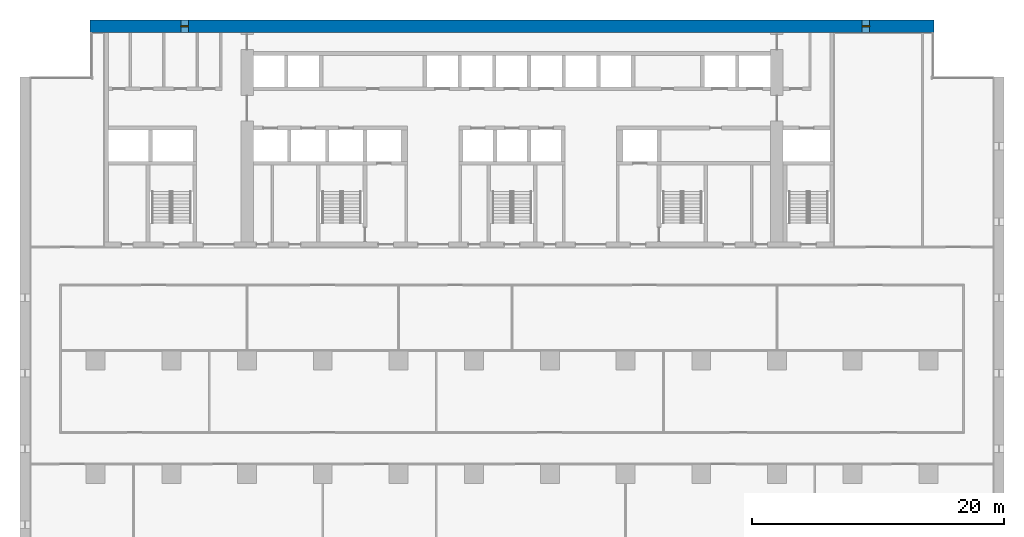
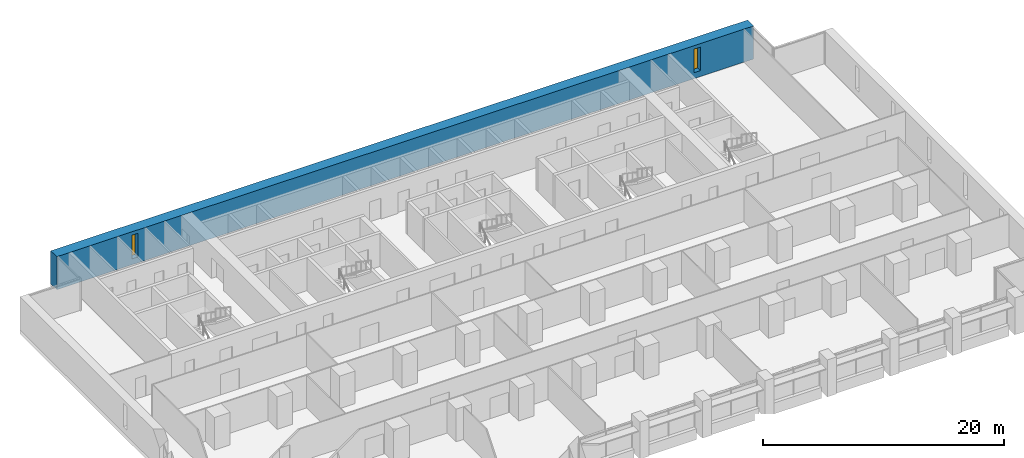
# One storey, part 12 of 18: 2 windows, 1 wall, 2 openings.
"""IFC4 building model written with IfcOpenShell, lengths in metres."""

import ifcopenshell
import ifcopenshell.guid

model = None  # the IFC model being written
_history = None  # IfcOwnerHistory: only IFC2X3 demands one
_inside = {}  # id of a spatial element -> (the spatial element, [elements in it])
_under = {}  # id of a project, library or spatial element -> (it, [spatial elements below it])
_declared = {}  # id of a project -> (the project, [libraries it declares])
_typed = {}  # id of a type object -> (the type object, [elements of that type])
_made_of = {}  # id of a material, layer set ... -> (it, [elements and type objects made of it])


def new_model(schema):
    """Start an empty IFC model of exactly this schema.

    Asked for "IFC4X3", IfcOpenShell would pick the latest addendum, in which some entities
    have other attributes; the version numbers below select the first issue.
    IFC2X3 requires an IfcOwnerHistory on every rooted entity: one is made here for all.
    """
    global model, _history
    if schema == "IFC4X3":
        model = ifcopenshell.file(schema_version=(4, 3, 0, 0))
    else:
        model = ifcopenshell.file(schema=schema)
    _inside.clear()
    _under.clear()
    _declared.clear()
    _typed.clear()
    _made_of.clear()
    _history = None
    if model.schema == "IFC2X3":
        org = make("IfcOrganization", Name="unknown")
        user = make(
            "IfcPersonAndOrganization",
            ThePerson=make("IfcPerson", FamilyName="unknown"),
            TheOrganization=org,
        )
        app = make(
            "IfcApplication",
            ApplicationDeveloper=org,
            Version="unknown",
            ApplicationFullName="unknown",
            ApplicationIdentifier="unknown",
        )
        _history = make(
            "IfcOwnerHistory",
            OwningUser=user,
            OwningApplication=app,
            ChangeAction="ADDED",
            CreationDate=0,
        )
    return model


def make(cls, **values):
    """One entity of the class cls with the attributes given. An attribute that is None is left unset."""
    return model.create_entity(
        cls, **{name: value for name, value in values.items() if value is not None}
    )


def rooted(cls, **values):
    """An entity with a GlobalId (a new one), such as an element, a storey or a relation."""
    return make(cls, GlobalId=ifcopenshell.guid.new(), OwnerHistory=_history, **values)


def si_unit(unit_type, name, prefix=None):
    """IfcSIUnit, for example si_unit("LENGTHUNIT", "METRE", prefix="MILLI")."""
    return make("IfcSIUnit", UnitType=unit_type, Prefix=prefix, Name=name)


def assignment(units):
    """IfcUnitAssignment: the units of a project."""
    return None if units is None else make("IfcUnitAssignment", Units=units)


def point(xyz):
    """IfcCartesianPoint."""
    return None if xyz is None else make("IfcCartesianPoint", Coordinates=xyz)


def direction(xyz):
    """IfcDirection."""
    return None if xyz is None else make("IfcDirection", DirectionRatios=xyz)


def frame(location, z_axis=None, x_axis=None):
    """IfcAxis2Placement3D, a coordinate frame: its origin and axes. An axis left out is left unset."""
    return make(
        "IfcAxis2Placement3D",
        Location=point(location),
        Axis=direction(z_axis),
        RefDirection=direction(x_axis),
    )


def frame_2d(location, x_axis=None):
    """IfcAxis2Placement2D, a coordinate frame in the plane: its origin and x axis."""
    return make(
        "IfcAxis2Placement2D", Location=point(location), RefDirection=direction(x_axis)
    )


def origin():
    """The frame at (0, 0, 0) with its axes left unset."""
    return frame((0.0, 0.0, 0.0))


def place(relative_to, where):
    """IfcLocalPlacement: puts the frame where relative to a parent placement (None: the world)."""
    return make(
        "IfcLocalPlacement", PlacementRelTo=relative_to, RelativePlacement=where
    )


def context(
    kind, dimensions, precision=None, world=None, true_north=None, identifier=None
):
    """IfcGeometricRepresentationContext, for example the 3D "Model" context."""
    return make(
        "IfcGeometricRepresentationContext",
        ContextIdentifier=identifier,
        ContextType=kind,
        CoordinateSpaceDimension=dimensions,
        Precision=precision,
        WorldCoordinateSystem=world,
        TrueNorth=true_north,
    )


def subcontext(parent, identifier, kind, view, scale=None):
    """IfcGeometricRepresentationSubContext, for example "Body" below "Model"."""
    return make(
        "IfcGeometricRepresentationSubContext",
        ContextIdentifier=identifier,
        ContextType=kind,
        ParentContext=parent,
        TargetScale=scale,
        TargetView=view,
    )


def project(units=None, contexts=None):
    """IfcProject with its units and contexts."""
    return rooted(
        "IfcProject",
        Name="project",
        RepresentationContexts=contexts,
        UnitsInContext=assignment(units),
    )


def spatial(cls, under=None, at=None, **own):
    """A site, building, storey or space (cls), placed at a placement, below another one or the project."""
    s = rooted(cls, ObjectPlacement=at, **own)
    if under is not None:
        _under.setdefault(under.id(), (under, []))[1].append(s)
    return s


def profile(cls, at=None, kind="AREA", **sizes):
    """A parametric profile (cls). Its sizes go by their IFC names, for example OverallWidth=200.0."""
    return make(cls, ProfileType=kind, Position=at, **sizes)


def rectangle(**sizes):
    """IfcRectangleProfileDef."""
    return profile("IfcRectangleProfileDef", **sizes)


def extrude(swept, where, along, depth):
    """IfcExtrudedAreaSolid: the profile swept, set in the frame where, extruded along a direction by depth."""
    return make(
        "IfcExtrudedAreaSolid",
        SweptArea=swept,
        Position=where,
        ExtrudedDirection=direction(along),
        Depth=depth,
    )


def shape(context_of_items, identifier, shape_type, items):
    """IfcShapeRepresentation: the items that make up one representation, for example the "Body"."""
    return make(
        "IfcShapeRepresentation",
        ContextOfItems=context_of_items,
        RepresentationIdentifier=identifier,
        RepresentationType=shape_type,
        Items=items,
    )


def material(Name=None, Category=None):
    """IfcMaterial."""
    return make("IfcMaterial", Name=Name, Category=Category)


def layer(
    of_material, thickness, ventilated=None, Name=None, Category=None, Priority=None
):
    """IfcMaterialLayer: one layer of a wall or slab, of a material (None: an air gap)."""
    return make(
        "IfcMaterialLayer",
        Material=of_material,
        LayerThickness=thickness,
        IsVentilated=ventilated,
        Name=Name,
        Category=Category,
        Priority=Priority,
    )


def layer_set(layers, Name=None):
    """IfcMaterialLayerSet."""
    return make("IfcMaterialLayerSet", MaterialLayers=layers, LayerSetName=Name)


def made_of(thing, what):
    """Note that an element or type object is made of a material, layer set ...; save() writes the relation."""
    if what is not None:
        _made_of.setdefault(what.id(), (what, []))[1].append(thing)
    return thing


def type_object(cls, material=None, **own):
    """A type object (cls), such as IfcWallType, which elements share."""
    return made_of(rooted(cls, **own), material)


def element(
    cls,
    number,
    at=None,
    inside=None,
    cuts=None,
    type_object=None,
    material=None,
    context=None,
    identifier="Body",
    shape_type=None,
    held_by="IfcProductDefinitionShape",
    body=None,
    shapes=None,
    **own,
):
    """One element of the class cls, such as IfcWall. Its Tag is "e" and its number.

    at: its placement. inside: the storey or other place that contains it. cuts: it is an
    opening in that element (IfcRelVoidsElement). A single representation is given by context,
    identifier, shape_type and body (its items); several are given by shapes. held_by: the class
    of the entity that holds the representations. save() writes the other relations.
    """
    e = rooted(cls, Tag="e%d" % number, ObjectPlacement=at, **own)
    if body is not None:
        shapes = [shape(context, identifier, shape_type, body)]
    if shapes is not None:
        e.Representation = make(held_by, Representations=shapes)
    if inside is not None:
        _inside.setdefault(inside.id(), (inside, []))[1].append(e)
    if cuts is not None:
        rooted(
            "IfcRelVoidsElement", RelatingBuildingElement=cuts, RelatedOpeningElement=e
        )
    if type_object is not None:
        _typed.setdefault(type_object.id(), (type_object, []))[1].append(e)
    return made_of(e, material)


def fill(opening, filler):
    """IfcRelFillsElement: the door or window that sits in an opening."""
    return rooted(
        "IfcRelFillsElement",
        RelatingOpeningElement=opening,
        RelatedBuildingElement=filler,
    )


def aggregate(whole, parts):
    """IfcRelAggregates: a whole, such as a stair, and the parts it consists of."""
    return rooted("IfcRelAggregates", RelatingObject=whole, RelatedObjects=parts)


def save(model, path):
    """Write the relations noted so far, then the file.

    IfcRelAggregates (storeys below a building ...), IfcRelContainedInSpatialStructure (elements
    in a storey), IfcRelDefinesByType, IfcRelAssociatesMaterial and IfcRelDeclares: one each for
    every whole, place, type object, material and project.
    """
    for whole, parts in _under.values():
        aggregate(whole, parts)
    for where, things in _inside.values():
        rooted(
            "IfcRelContainedInSpatialStructure",
            RelatedElements=things,
            RelatingStructure=where,
        )
    for kind, things in _typed.values():
        rooted("IfcRelDefinesByType", RelatedObjects=things, RelatingType=kind)
    for what, things in _made_of.values():
        rooted("IfcRelAssociatesMaterial", RelatedObjects=things, RelatingMaterial=what)
    for by, libraries in _declared.values():
        rooted("IfcRelDeclares", RelatingContext=by, RelatedDefinitions=libraries)
    model.write(path)


model = new_model("IFC4")

# Units and contexts
model_context = context("Model", 3, precision=1e-05, world=origin(), true_north=direction((0.0, 1.0)))
body_context = subcontext(model_context, "Body", "Model", "MODEL_VIEW")
ifc_project = project(units=[si_unit("LENGTHUNIT", "METRE"), si_unit("AREAUNIT", "SQUARE_METRE"), si_unit("VOLUMEUNIT", "CUBIC_METRE"), si_unit("PLANEANGLEUNIT", "RADIAN"), si_unit("MASSUNIT", "GRAM", prefix="KILO")], contexts=[model_context])

# Site, building, storey
site_placement = place(None, origin())
site = spatial("IfcSite", under=ifc_project, at=site_placement, CompositionType="ELEMENT")
building_placement = place(site_placement, origin())
building = spatial("IfcBuilding", under=site, at=building_placement, Name="Calvaro Tower", CompositionType="ELEMENT")
storey_placement = place(building_placement, frame((0.0, 0.0, 82.5)))
storey = spatial("IfcBuildingStorey", under=building, at=storey_placement, Name="L20", CompositionType="ELEMENT", Elevation=82.5)

# Wall, openings, windows
ifc_material_1 = material(Name="Concrete C80/95", Category="concrete")
ifc_layer = layer(ifc_material_1, 1.0)
ifc_layer_set = layer_set([ifc_layer], Name="Concrete C80/95")
wall_type = type_object("IfcWallType", Name="Rear core wall 1000 C80/95", PredefinedType="SHEAR", material=ifc_layer_set)
wall_placement = place(storey_placement, frame((5.550048828125, 45.5, 0.0), z_axis=(0.0, 0.0, 1.0), x_axis=(1.0, 0.0, 0.0)))
wall = element("IfcWall", 1, at=wall_placement, inside=storey, type_object=wall_type, Name="North core wall", PredefinedType="SHEAR", context=body_context, shape_type="SweptSolid", body=[
    extrude(rectangle(XDim=66.89990234375, YDim=1.0, at=frame_2d((33.449951171875, 0.0))), origin(), (0.0, 0.0, 1.0), 3.35009765625),
])
opening_1_placement = place(wall_placement, frame((7.199951171875, 0.0, 0.60009765625)))
opening_1 = element("IfcOpeningElement", 2, at=opening_1_placement, cuts=wall, Name="Opening WN02", PredefinedType="OPENING", context=body_context, shape_type="SweptSolid", body=[
    extrude(rectangle(XDim=0.60009765625, YDim=2.39990234375, at=frame_2d((0.300048828125, 1.199951171875))), frame((0.0, 0.510009765625, 0.0), z_axis=(0.0, -1.0, 0.0), x_axis=(1.0, 0.0, 0.0)), (0.0, 0.0, 1.0), 1.02001953125),
])
opening_2_placement = place(wall_placement, frame((61.199951171875, 0.0, 0.60009765625)))
opening_2 = element("IfcOpeningElement", 3, at=opening_2_placement, cuts=wall, Name="Opening WN11", PredefinedType="OPENING", context=body_context, shape_type="SweptSolid", body=[
    extrude(rectangle(XDim=0.60009765625, YDim=2.39990234375, at=frame_2d((0.300048828125, 1.199951171875))), frame((0.0, 0.510009765625, 0.0), z_axis=(0.0, -1.0, 0.0), x_axis=(1.0, 0.0, 0.0)), (0.0, 0.0, 1.0), 1.02001953125),
])
ifc_material_2 = material(Name="Glass", Category="glass")
window_type = type_object("IfcWindowType", Name="Slit window 600 x 2400", PartitioningType="SINGLE_PANEL", PredefinedType="WINDOW", material=ifc_material_2)
window_1_placement = place(opening_1_placement, origin())
window_1 = element("IfcWindow", 4, at=window_1_placement, inside=storey, type_object=window_type, Name="Window WN02", OverallHeight=2.39990234375, OverallWidth=0.60009765625, PartitioningType="SINGLE_PANEL", PredefinedType="WINDOW", context=body_context, shape_type="SweptSolid", body=[
    extrude(rectangle(XDim=0.60009765625, YDim=2.39990234375, at=frame_2d((0.300048828125, 1.199951171875))), frame((0.0, 0.030029296875, 0.0), z_axis=(0.0, -1.0, 0.0), x_axis=(1.0, 0.0, 0.0)), (0.0, 0.0, 1.0), 0.06005859375),
])
fill(opening_1, window_1)
window_2_placement = place(opening_2_placement, origin())
window_2 = element("IfcWindow", 5, at=window_2_placement, inside=storey, type_object=window_type, Name="Window WN11", OverallHeight=2.39990234375, OverallWidth=0.60009765625, PartitioningType="SINGLE_PANEL", PredefinedType="WINDOW", context=body_context, shape_type="SweptSolid", body=[
    extrude(rectangle(XDim=0.60009765625, YDim=2.39990234375, at=frame_2d((0.300048828125, 1.199951171875))), frame((0.0, 0.030029296875, 0.0), z_axis=(0.0, -1.0, 0.0), x_axis=(1.0, 0.0, 0.0)), (0.0, 0.0, 1.0), 0.06005859375),
])
fill(opening_2, window_2)

save(model, "model.ifc")
